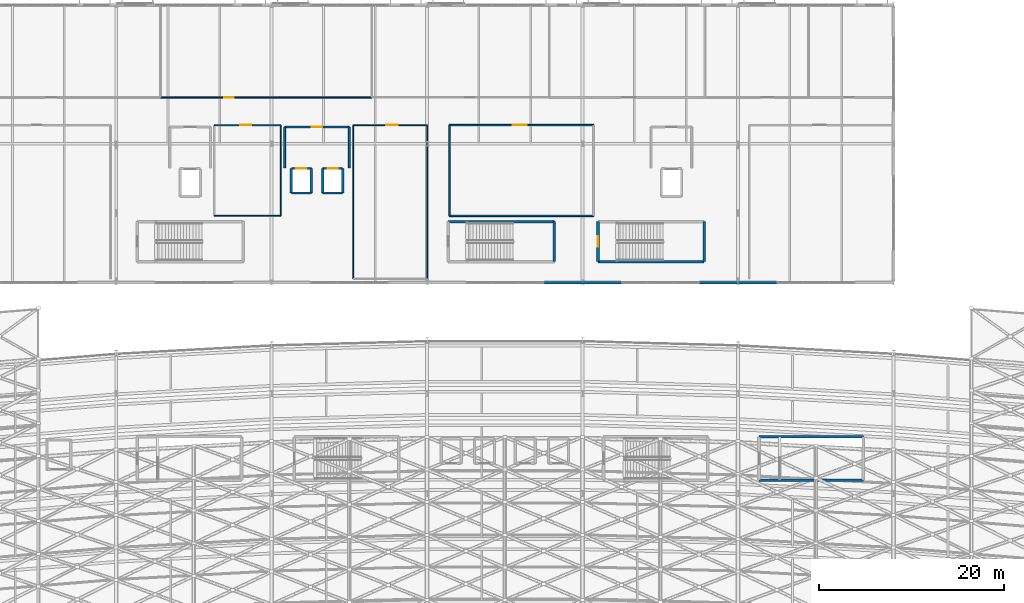
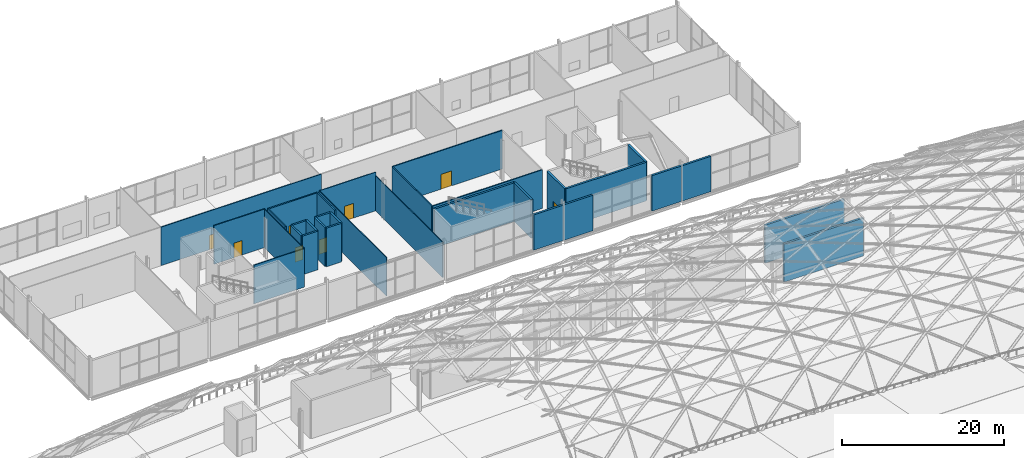
# One storey, part 84 of 100: 32 walls, 8 doors, 8 openings.
"""IFC4 building model written with IfcOpenShell, lengths in metres."""

from ifc_helpers import new_model, si_unit, direction, frame, frame_2d, origin, place, context, subcontext, project, spatial, rectangle, extrude, material, layer, layer_set, type_object, element, fill, save


model = new_model("IFC4")

# Units and contexts
model_context = context("Model", 3, precision=1e-05, world=origin(), true_north=direction((0.0, 1.0)))
body_context = subcontext(model_context, "Body", "Model", "MODEL_VIEW")
ifc_project = project(units=[si_unit("LENGTHUNIT", "METRE"), si_unit("AREAUNIT", "SQUARE_METRE"), si_unit("VOLUMEUNIT", "CUBIC_METRE"), si_unit("PLANEANGLEUNIT", "RADIAN"), si_unit("MASSUNIT", "GRAM", prefix="KILO")], contexts=[model_context])

# Site, building, storey
site_placement = place(None, origin())
site = spatial("IfcSite", under=ifc_project, at=site_placement, CompositionType="ELEMENT")
building_placement = place(site_placement, origin())
building = spatial("IfcBuilding", under=site, at=building_placement, Name="Kimbaza Rail Terminus", CompositionType="ELEMENT")
storey_placement = place(building_placement, frame((0.0, 0.0, 10.800048828125)))
storey = spatial("IfcBuildingStorey", under=building, at=storey_placement, Name="L02", CompositionType="ELEMENT", Elevation=10.800048828125)

# Walls
ifc_material_1 = material(Name="Precast concrete C40/50", Category="concrete")
ifc_layer_1 = layer(ifc_material_1, 0.280029296875)
ifc_layer_set_1 = layer_set([ifc_layer_1], Name="Precast concrete C40/50")
wall_type_1 = type_object("IfcWallType", Name="ARC-WL-EXT280", PredefinedType="STANDARD", material=ifc_layer_set_1)
wall_1_placement = place(storey_placement, frame((118.199951171875, 103.0, 0.0), z_axis=(0.0, 0.0, 1.0), x_axis=(1.0, 0.0, 0.0)))
element("IfcWall", 1, at=wall_1_placement, inside=storey, type_object=wall_type_1, Name="Operations South Wall L02 3B", PredefinedType="STANDARD", context=body_context, shape_type="SweptSolid", body=[
    extrude(rectangle(XDim=4.199951171875, YDim=0.280029296875, at=frame_2d((2.10009765625, 0.0))), origin(), (0.0, 0.0, 1.0), 5.324951171875),
])
wall_2_placement = place(storey_placement, frame((122.39990234375, 103.0, 0.0), z_axis=(0.0, 0.0, 1.0), x_axis=(1.0, 0.0, 0.0)))
element("IfcWall", 2, at=wall_2_placement, inside=storey, type_object=wall_type_1, Name="Operations South Wall L02 4A", PredefinedType="STANDARD", context=body_context, shape_type="SweptSolid", body=[
    extrude(rectangle(XDim=4.2001953125, YDim=0.280029296875, at=frame_2d((2.10009765625, 0.0))), origin(), (0.0, 0.0, 1.0), 5.324951171875),
])
for number, where, z_axis, x_axis, name in (
    (3, (135.0, 103.0, 0.0), (0.0, 0.0, 1.0), (1.0, 0.0, 0.0), "Operations South Wall L02 4B"),
    (4, (139.199951171875, 103.0, 0.0), (0.0, 0.0, 1.0), (1.0, 0.0, 0.0), "Operations South Wall L02 5A"),
):
    element("IfcWall", number, at=place(storey_placement, frame(where, z_axis=z_axis, x_axis=x_axis)), inside=storey, type_object=wall_type_1, Name=name, PredefinedType="STANDARD", context=body_context, shape_type="SweptSolid", body=[
        extrude(rectangle(XDim=4.199951171875, YDim=0.280029296875, at=frame_2d((2.10009765625, 0.0))), origin(), (0.0, 0.0, 1.0), 5.324951171875),
    ])
ifc_material_2 = material(Name="Concrete blockwork C30/37", Category="masonry")
ifc_layer_2 = layer(ifc_material_2, 0.199951171875)
ifc_layer_set_2 = layer_set([ifc_layer_2], Name="Concrete blockwork C30/37")
wall_type_2 = type_object("IfcWallType", Name="ARC-WL-FIRE200", PredefinedType="PARTITIONING", material=ifc_layer_set_2)
wall_3_placement = place(storey_placement, frame((97.199951171875, 115.39990234375, 0.0), z_axis=(0.0, 0.0, 1.0), x_axis=(0.0, 1.0, 0.0)))
element("IfcWall", 5, at=wall_3_placement, inside=storey, type_object=wall_type_2, Name="Operations Lift Lobby L02 Partition (east)", PredefinedType="PARTITIONING", context=body_context, shape_type="SweptSolid", body=[
    extrude(rectangle(XDim=4.400146484375, YDim=0.199951171875, at=frame_2d((2.2001953125, 0.0))), origin(), (0.0, 0.0, 1.0), 5.800048828125),
])

# Wall, opening, door
wall_4_placement = place(storey_placement, frame((97.199951171875, 119.800048828125, 0.0), z_axis=(0.0, 0.0, 1.0), x_axis=(-1.0, 0.0, 0.0)))
wall_4 = element("IfcWall", 6, at=wall_4_placement, inside=storey, type_object=wall_type_2, Name="Operations Lift Lobby L02 Partition (north)", PredefinedType="PARTITIONING", context=body_context, shape_type="SweptSolid", body=[
    extrude(rectangle(XDim=7.0, YDim=0.199951171875, at=frame_2d((3.5, 0.0))), origin(), (0.0, 0.0, 1.0), 5.800048828125),
])
opening_1_placement = place(wall_4_placement, frame((4.074951171875, 0.0, 0.0), z_axis=(0.0, 0.0, 1.0), x_axis=(-1.0, 0.0, 0.0)))
opening_1 = element("IfcOpeningElement", 7, at=opening_1_placement, cuts=wall_4, Name="Opening FD-03", PredefinedType="OPENING", context=body_context, shape_type="SweptSolid", body=[
    extrude(rectangle(XDim=1.14990234375, YDim=2.199951171875, at=frame_2d((0.574951171875, 1.10009765625))), frame((0.0, 0.10986328125, 0.0), z_axis=(0.0, -1.0, 0.0), x_axis=(1.0, 0.0, 0.0)), (0.0, 0.0, 1.0), 0.219970703125),
])
ifc_material_3 = material(Name="Firefighting lobby self-closing steel door", Category="steel")
door_type_1 = type_object("IfcDoorType", Name="ARC-DR-FD115", OperationType="NOTDEFINED", PredefinedType="DOOR", material=ifc_material_3)
door_1_placement = place(opening_1_placement, origin())
door_1 = element("IfcDoor", 8, at=door_1_placement, inside=storey, type_object=door_type_1, Name="IDR-SPC-LLOB-V5-L02", OperationType="SINGLE_SWING_RIGHT", OverallHeight=2.199951171875, OverallWidth=1.14990234375, PredefinedType="DOOR", context=body_context, shape_type="SweptSolid", body=[
    extrude(rectangle(XDim=1.14990234375, YDim=2.199951171875, at=frame_2d((0.574951171875, 1.10009765625))), frame((0.0, 0.02490234375, 0.0), z_axis=(0.0, -1.0, 0.0), x_axis=(1.0, 0.0, 0.0)), (0.0, 0.0, 1.0), 0.050048828125),
])
fill(opening_1, door_1)

# Walls
wall_5_placement = place(storey_placement, frame((90.199951171875, 119.800048828125, 0.0), z_axis=(0.0, 0.0, 1.0), x_axis=(0.0, -1.0, 0.0)))
element("IfcWall", 9, at=wall_5_placement, inside=storey, type_object=wall_type_2, Name="Operations Lift Lobby L02 Partition (west)", PredefinedType="PARTITIONING", context=body_context, shape_type="SweptSolid", body=[
    extrude(rectangle(XDim=4.400146484375, YDim=0.199951171875, at=frame_2d((2.2001953125, 0.0))), origin(), (0.0, 0.0, 1.0), 5.800048828125),
])
ifc_material_4 = material(Name="Demountable acoustic glass wall", Category="glass")
ifc_layer_3 = layer(ifc_material_4, 0.110107421875)
ifc_layer_set_3 = layer_set([ifc_layer_3], Name="Demountable acoustic glass wall")
wall_type_3 = type_object("IfcWallType", Name="ARC-WL-MOV110", PredefinedType="MOVABLE", material=ifc_layer_set_3)
wall_6_placement = place(storey_placement, frame((105.60009765625, 103.39990234375, 0.0), z_axis=(0.0, 0.0, 1.0), x_axis=(0.0, 1.0, 0.0)))
element("IfcWall", 10, at=wall_6_placement, inside=storey, type_object=wall_type_3, Name="L02 Network Dispatch Briefing Room Partition (east)", PredefinedType="MOVABLE", context=body_context, shape_type="SweptSolid", body=[
    extrude(rectangle(XDim=16.60009765625, YDim=0.110107421875, at=frame_2d((8.300048828125, 0.0))), origin(), (0.0, 0.0, 1.0), 5.294921875),
])

# Wall, opening, door
wall_7_placement = place(storey_placement, frame((105.60009765625, 120.0, 0.0), z_axis=(0.0, 0.0, 1.0), x_axis=(-1.0, 0.0, 0.0)))
wall_7 = element("IfcWall", 11, at=wall_7_placement, inside=storey, type_object=wall_type_3, Name="L02 Network Dispatch Briefing Room Partition (north)", PredefinedType="MOVABLE", context=body_context, shape_type="SweptSolid", body=[
    extrude(rectangle(XDim=8.0, YDim=0.110107421875, at=frame_2d((4.0, 0.0))), origin(), (0.0, 0.0, 1.0), 5.800048828125),
])
opening_2_placement = place(wall_7_placement, frame((3.159912109375, 0.0, 0.0)))
opening_2 = element("IfcOpeningElement", 12, at=opening_2_placement, cuts=wall_7, Name="Opening ID-12", PredefinedType="OPENING", context=body_context, shape_type="SweptSolid", body=[
    extrude(rectangle(XDim=1.280029296875, YDim=2.219970703125, at=frame_2d((0.64013671875, 1.10986328125))), frame((0.0, 0.06494140625, 0.0), z_axis=(0.0, -1.0, 0.0), x_axis=(1.0, 0.0, 0.0)), (0.0, 0.0, 1.0), 0.130126953125),
])
ifc_material_5 = material(Name="Engineering studio double-seal door", Category="wood")
door_type_2 = type_object("IfcDoorType", Name="ARC-DR-ID128", OperationType="NOTDEFINED", PredefinedType="DOOR", material=ifc_material_5)
door_2_placement = place(opening_2_placement, origin())
door_2 = element("IfcDoor", 13, at=door_2_placement, inside=storey, type_object=door_type_2, Name="IDR-SPC-V5S-L02-3", OperationType="SINGLE_SWING_LEFT", OverallHeight=2.219970703125, OverallWidth=1.280029296875, PredefinedType="DOOR", context=body_context, shape_type="SweptSolid", body=[
    extrude(rectangle(XDim=1.280029296875, YDim=2.219970703125, at=frame_2d((0.64013671875, 1.10986328125))), frame((0.0, 0.02490234375, 0.0), z_axis=(0.0, -1.0, 0.0), x_axis=(1.0, 0.0, 0.0)), (0.0, 0.0, 1.0), 0.050048828125),
])
fill(opening_2, door_2)

# Wall
wall_8_placement = place(storey_placement, frame((97.60009765625, 120.0, 0.0), z_axis=(0.0, 0.0, 1.0), x_axis=(0.0, -1.0, 0.0)))
element("IfcWall", 14, at=wall_8_placement, inside=storey, type_object=wall_type_3, Name="L02 Network Dispatch Briefing Room Partition (west)", PredefinedType="MOVABLE", context=body_context, shape_type="SweptSolid", body=[
    extrude(rectangle(XDim=16.60009765625, YDim=0.110107421875, at=frame_2d((8.300048828125, 0.0))), origin(), (0.0, 0.0, 1.0), 5.800048828125),
])

# Wall, opening, door
ifc_material_6 = material(Name="Moisture-resistant stud wall", Category="gypsum")
ifc_layer_4 = layer(ifc_material_6, 0.1201171875)
ifc_layer_set_4 = layer_set([ifc_layer_4], Name="Moisture-resistant stud wall")
wall_type_4 = type_object("IfcWallType", Name="ARC-WL-PART120", PredefinedType="PARTITIONING", material=ifc_layer_set_4)
wall_9_placement = place(storey_placement, frame((76.800048828125, 123.0, 0.0), z_axis=(0.0, 0.0, 1.0), x_axis=(1.0, 0.0, 0.0)))
wall_9 = element("IfcWall", 15, at=wall_9_placement, inside=storey, type_object=wall_type_4, Name="Interlocking Signalling Relay Suite B Partition (south)", PredefinedType="PARTITIONING", context=body_context, shape_type="SweptSolid", body=[
    extrude(rectangle(XDim=22.800048828125, YDim=0.1201171875, at=frame_2d((11.39990234375, 0.0))), origin(), (0.0, 0.0, 1.0), 5.800048828125),
])
opening_3_placement = place(wall_9_placement, frame((6.89990234375, 0.0, 0.0)))
opening_3 = element("IfcOpeningElement", 16, at=opening_3_placement, cuts=wall_9, Name="Opening ID-05", PredefinedType="OPENING", context=body_context, shape_type="SweptSolid", body=[
    extrude(rectangle(XDim=1.0, YDim=2.14990234375, at=frame_2d((0.5, 1.074951171875))), frame((0.0, 0.070068359375, 0.0), z_axis=(0.0, -1.0, 0.0), x_axis=(1.0, 0.0, 0.0)), (0.0, 0.0, 1.0), 0.14013671875),
])
ifc_material_7 = material(Name="Hardwood veneer staff room door", Category="wood")
door_type_3 = type_object("IfcDoorType", Name="ARC-DR-ID100", OperationType="NOTDEFINED", PredefinedType="DOOR", material=ifc_material_7)
door_3_placement = place(opening_3_placement, origin())
door_3 = element("IfcDoor", 17, at=door_3_placement, inside=storey, type_object=door_type_3, Name="IDR-SPC-V5N-L02-02", OperationType="SINGLE_SWING_RIGHT", OverallHeight=2.14990234375, OverallWidth=1.0, PredefinedType="DOOR", context=body_context, shape_type="SweptSolid", body=[
    extrude(rectangle(XDim=1.0, YDim=2.14990234375, at=frame_2d((0.5, 1.074951171875))), frame((0.0, 0.02490234375, 0.0), z_axis=(0.0, -1.0, 0.0), x_axis=(1.0, 0.0, 0.0)), (0.0, 0.0, 1.0), 0.050048828125),
])
fill(opening_3, door_3)

# Walls
wall_10_placement = place(storey_placement, frame((82.60009765625, 110.199951171875, 0.0), z_axis=(0.0, 0.0, 1.0), x_axis=(1.0, 0.0, 0.0)))
element("IfcWall", 18, at=wall_10_placement, inside=storey, type_object=wall_type_4, Name="L02 Traction Metering Workshop Partition (south)", PredefinedType="PARTITIONING", context=body_context, shape_type="SweptSolid", body=[
    extrude(rectangle(XDim=7.199951171875, YDim=0.1201171875, at=frame_2d((3.60009765625, 0.0))), origin(), (0.0, 0.0, 1.0), 5.800048828125),
])
wall_11_placement = place(storey_placement, frame((89.800048828125, 110.199951171875, 0.0), z_axis=(0.0, 0.0, 1.0), x_axis=(0.0, 1.0, 0.0)))
element("IfcWall", 19, at=wall_11_placement, inside=storey, type_object=wall_type_4, Name="L02 Traction Metering Workshop Partition (east)", PredefinedType="PARTITIONING", context=body_context, shape_type="SweptSolid", body=[
    extrude(rectangle(XDim=9.800048828125, YDim=0.1201171875, at=frame_2d((4.89990234375, 0.0))), origin(), (0.0, 0.0, 1.0), 5.800048828125),
])

# Wall, opening, door
wall_12_placement = place(storey_placement, frame((89.800048828125, 120.0, 0.0), z_axis=(0.0, 0.0, 1.0), x_axis=(-1.0, 0.0, 0.0)))
wall_12 = element("IfcWall", 20, at=wall_12_placement, inside=storey, type_object=wall_type_4, Name="L02 Traction Metering Workshop Partition (north)", PredefinedType="PARTITIONING", context=body_context, shape_type="SweptSolid", body=[
    extrude(rectangle(XDim=7.199951171875, YDim=0.1201171875, at=frame_2d((3.60009765625, 0.0))), origin(), (0.0, 0.0, 1.0), 5.800048828125),
])
opening_4_placement = place(wall_12_placement, frame((3.2099609375, 0.0, 0.0)))
opening_4 = element("IfcOpeningElement", 21, at=opening_4_placement, cuts=wall_12, Name="Opening ID-11", PredefinedType="OPENING", context=body_context, shape_type="SweptSolid", body=[
    extrude(rectangle(XDim=1.179931640625, YDim=2.179931640625, at=frame_2d((0.58984375, 1.08984375))), frame((0.0, 0.070068359375, 0.0), z_axis=(0.0, -1.0, 0.0), x_axis=(1.0, 0.0, 0.0)), (0.0, 0.0, 1.0), 0.14013671875),
])
ifc_material_8 = material(Name="Broadcast studio acoustic door", Category="wood")
door_type_4 = type_object("IfcDoorType", Name="ARC-DR-ID118", OperationType="NOTDEFINED", PredefinedType="DOOR", material=ifc_material_8)
door_4_placement = place(opening_4_placement, origin())
door_4 = element("IfcDoor", 22, at=door_4_placement, inside=storey, type_object=door_type_4, Name="IDR-SPC-V5S-L02-2", OperationType="SINGLE_SWING_RIGHT", OverallHeight=2.179931640625, OverallWidth=1.179931640625, PredefinedType="DOOR", context=body_context, shape_type="SweptSolid", body=[
    extrude(rectangle(XDim=1.179931640625, YDim=2.179931640625, at=frame_2d((0.58984375, 1.08984375))), frame((0.0, 0.02490234375, 0.0), z_axis=(0.0, -1.0, 0.0), x_axis=(1.0, 0.0, 0.0)), (0.0, 0.0, 1.0), 0.050048828125),
])
fill(opening_4, door_4)

# Wall
ifc_material_9 = material(Name="Acoustic gypsum stud partition", Category="gypsum")
ifc_layer_5 = layer(ifc_material_9, 0.159912109375)
ifc_layer_set_5 = layer_set([ifc_layer_5], Name="Acoustic gypsum stud partition")
wall_type_5 = type_object("IfcWallType", Name="ARC-WL-PART160", PredefinedType="PARTITIONING", material=ifc_layer_set_5)
wall_13_placement = place(storey_placement, frame((108.0, 110.199951171875, 0.0), z_axis=(0.0, 0.0, 1.0), x_axis=(1.0, 0.0, 0.0)))
element("IfcWall", 23, at=wall_13_placement, inside=storey, type_object=wall_type_5, Name="L02 Rolling Stock Rostering Studio Partition (south)", PredefinedType="PARTITIONING", context=body_context, shape_type="SweptSolid", body=[
    extrude(rectangle(XDim=15.60009765625, YDim=0.159912109375, at=frame_2d((7.800048828125, 0.0))), origin(), (0.0, 0.0, 1.0), 5.800048828125),
])

# Wall, opening, door
wall_14_placement = place(storey_placement, frame((123.60009765625, 120.0, 0.0), z_axis=(0.0, 0.0, 1.0), x_axis=(-1.0, 0.0, 0.0)))
wall_14 = element("IfcWall", 24, at=wall_14_placement, inside=storey, type_object=wall_type_5, Name="L02 Rolling Stock Rostering Studio Partition (north)", PredefinedType="PARTITIONING", context=body_context, shape_type="SweptSolid", body=[
    extrude(rectangle(XDim=15.60009765625, YDim=0.159912109375, at=frame_2d((7.800048828125, 0.0))), origin(), (0.0, 0.0, 1.0), 5.800048828125),
])
opening_5_placement = place(wall_14_placement, frame((8.75, 0.0, 0.0), z_axis=(0.0, 0.0, 1.0), x_axis=(-1.0, 0.0, 0.0)))
opening_5 = element("IfcOpeningElement", 25, at=opening_5_placement, cuts=wall_14, Name="Opening ID-01", PredefinedType="OPENING", context=body_context, shape_type="SweptSolid", body=[
    extrude(rectangle(XDim=1.5, YDim=2.25, at=frame_2d((0.75, 1.125))), frame((0.0, 0.08984375, 0.0), z_axis=(0.0, -1.0, 0.0), x_axis=(1.0, 0.0, 0.0)), (0.0, 0.0, 1.0), 0.179931640625),
])
ifc_material_10 = material(Name="Anodised aluminium glazed concourse door", Category="aluminium")
door_type_5 = type_object("IfcDoorType", Name="ARC-DR-ID150", OperationType="NOTDEFINED", PredefinedType="DOOR", material=ifc_material_10)
door_5_placement = place(opening_5_placement, origin())
door_5 = element("IfcDoor", 26, at=door_5_placement, inside=storey, type_object=door_type_5, Name="IDR-SPC-V5S-L02-4", OperationType="SINGLE_SWING_RIGHT", OverallHeight=2.25, OverallWidth=1.5, PredefinedType="DOOR", context=body_context, shape_type="SweptSolid", body=[
    extrude(rectangle(XDim=1.5, YDim=2.25, at=frame_2d((0.75, 1.125))), frame((0.0, 0.02490234375, 0.0), z_axis=(0.0, -1.0, 0.0), x_axis=(1.0, 0.0, 0.0)), (0.0, 0.0, 1.0), 0.050048828125),
])
fill(opening_5, door_5)

# Walls
wall_15_placement = place(storey_placement, frame((108.0, 120.0, 0.0), z_axis=(0.0, 0.0, 1.0), x_axis=(0.0, -1.0, 0.0)))
element("IfcWall", 27, at=wall_15_placement, inside=storey, type_object=wall_type_5, Name="L02 Rolling Stock Rostering Studio Partition (west)", PredefinedType="PARTITIONING", context=body_context, shape_type="SweptSolid", body=[
    extrude(rectangle(XDim=9.800048828125, YDim=0.159912109375, at=frame_2d((4.89990234375, 0.0))), origin(), (0.0, 0.0, 1.0), 5.800048828125),
])
ifc_material_11 = material(Name="Concrete C40/50", Category="concrete")
ifc_layer_6 = layer(ifc_material_11, 0.25)
ifc_layer_set_6 = layer_set([ifc_layer_6], Name="Concrete C40/50")
wall_type_6 = type_object("IfcWallType", Name="STR-WL-CORE250", PredefinedType="SHEAR", material=ifc_layer_set_6)
wall_16_placement = place(storey_placement, frame((90.919921875, 112.669921875, 0.0), z_axis=(0.0, 0.0, 1.0), x_axis=(1.0, 0.0, 0.0)))
element("IfcWall", 28, at=wall_16_placement, inside=storey, type_object=wall_type_6, Name="Lift Shaft Wall LP-08 L02-1", PredefinedType="SHEAR", context=body_context, shape_type="SweptSolid", body=[
    extrude(rectangle(XDim=2.16015625, YDim=0.25, at=frame_2d((1.080078125, 0.0))), origin(), (0.0, 0.0, 1.0), 5.800048828125),
])
wall_17_placement = place(storey_placement, frame((93.080078125, 112.669921875, 0.0), z_axis=(0.0, 0.0, 1.0), x_axis=(0.0, 1.0, 0.0)))
element("IfcWall", 29, at=wall_17_placement, inside=storey, type_object=wall_type_6, Name="Lift Shaft Wall LP-08 L02-2", PredefinedType="SHEAR", context=body_context, shape_type="SweptSolid", body=[
    extrude(rectangle(XDim=2.66015625, YDim=0.25, at=frame_2d((1.330078125, 0.0))), origin(), (0.0, 0.0, 1.0), 5.800048828125),
])

# Wall, opening, door
wall_18_placement = place(storey_placement, frame((93.080078125, 115.330078125, 0.0), z_axis=(0.0, 0.0, 1.0), x_axis=(-1.0, 0.0, 0.0)))
wall_18 = element("IfcWall", 30, at=wall_18_placement, inside=storey, type_object=wall_type_6, Name="Lift Shaft Wall LP-08 L02-3", PredefinedType="SHEAR", context=body_context, shape_type="SweptSolid", body=[
    extrude(rectangle(XDim=2.16015625, YDim=0.25, at=frame_2d((1.080078125, 0.0))), origin(), (0.0, 0.0, 1.0), 5.800048828125),
])
opening_6_placement = place(wall_18_placement, frame((0.530029296875, 0.0, 0.0)))
opening_6 = element("IfcOpeningElement", 31, at=opening_6_placement, cuts=wall_18, Name="Opening LD-01", PredefinedType="OPENING", context=body_context, shape_type="SweptSolid", body=[
    extrude(rectangle(XDim=1.10009765625, YDim=2.199951171875, at=frame_2d((0.550048828125, 1.10009765625))), frame((0.0, 0.135009765625, 0.0), z_axis=(0.0, -1.0, 0.0), x_axis=(1.0, 0.0, 0.0)), (0.0, 0.0, 1.0), 0.27001953125),
])
ifc_material_12 = material(Name="Brushed stainless steel sliding landing door", Category="steel")
door_type_6 = type_object("IfcDoorType", Name="ARC-DR-LD110", OperationType="NOTDEFINED", PredefinedType="DOOR", material=ifc_material_12)
door_6_placement = place(opening_6_placement, origin())
door_6 = element("IfcDoor", 32, at=door_6_placement, inside=storey, type_object=door_type_6, Name="LDR-LP-08-L02", OperationType="SLIDING_TO_RIGHT", OverallHeight=2.199951171875, OverallWidth=1.10009765625, PredefinedType="DOOR", context=body_context, shape_type="SweptSolid", body=[
    extrude(rectangle(XDim=1.10009765625, YDim=2.199951171875, at=frame_2d((0.550048828125, 1.10009765625))), frame((0.0, 0.02490234375, 0.0), z_axis=(0.0, -1.0, 0.0), x_axis=(1.0, 0.0, 0.0)), (0.0, 0.0, 1.0), 0.050048828125),
])
fill(opening_6, door_6)

# Walls
wall_19_placement = place(storey_placement, frame((90.919921875, 115.330078125, 0.0), z_axis=(0.0, 0.0, 1.0), x_axis=(0.0, -1.0, 0.0)))
element("IfcWall", 33, at=wall_19_placement, inside=storey, type_object=wall_type_6, Name="Lift Shaft Wall LP-08 L02-4", PredefinedType="SHEAR", context=body_context, shape_type="SweptSolid", body=[
    extrude(rectangle(XDim=2.66015625, YDim=0.25, at=frame_2d((1.330078125, 0.0))), origin(), (0.0, 0.0, 1.0), 5.800048828125),
])
wall_20_placement = place(storey_placement, frame((94.320068359375, 112.669921875, 0.0), z_axis=(0.0, 0.0, 1.0), x_axis=(1.0, 0.0, 0.0)))
element("IfcWall", 34, at=wall_20_placement, inside=storey, type_object=wall_type_6, Name="Lift Shaft Wall LP-09 L02-1", PredefinedType="SHEAR", context=body_context, shape_type="SweptSolid", body=[
    extrude(rectangle(XDim=2.159912109375, YDim=0.25, at=frame_2d((1.080078125, 0.0))), origin(), (0.0, 0.0, 1.0), 5.800048828125),
])
wall_21_placement = place(storey_placement, frame((96.47998046875, 112.669921875, 0.0), z_axis=(0.0, 0.0, 1.0), x_axis=(0.0, 1.0, 0.0)))
element("IfcWall", 35, at=wall_21_placement, inside=storey, type_object=wall_type_6, Name="Lift Shaft Wall LP-09 L02-2", PredefinedType="SHEAR", context=body_context, shape_type="SweptSolid", body=[
    extrude(rectangle(XDim=2.66015625, YDim=0.25, at=frame_2d((1.330078125, 0.0))), origin(), (0.0, 0.0, 1.0), 5.800048828125),
])

# Wall, opening, door
wall_22_placement = place(storey_placement, frame((96.47998046875, 115.330078125, 0.0), z_axis=(0.0, 0.0, 1.0), x_axis=(-1.0, 0.0, 0.0)))
wall_22 = element("IfcWall", 36, at=wall_22_placement, inside=storey, type_object=wall_type_6, Name="Lift Shaft Wall LP-09 L02-3", PredefinedType="SHEAR", context=body_context, shape_type="SweptSolid", body=[
    extrude(rectangle(XDim=2.159912109375, YDim=0.25, at=frame_2d((1.080078125, 0.0))), origin(), (0.0, 0.0, 1.0), 5.800048828125),
])
opening_7_placement = place(wall_22_placement, frame((0.530029296875, 0.0, 0.0)))
opening_7 = element("IfcOpeningElement", 37, at=opening_7_placement, cuts=wall_22, Name="Opening LD-01", PredefinedType="OPENING", context=body_context, shape_type="SweptSolid", body=[
    extrude(rectangle(XDim=1.10009765625, YDim=2.199951171875, at=frame_2d((0.550048828125, 1.10009765625))), frame((0.0, 0.135009765625, 0.0), z_axis=(0.0, -1.0, 0.0), x_axis=(1.0, 0.0, 0.0)), (0.0, 0.0, 1.0), 0.27001953125),
])
door_7_placement = place(opening_7_placement, origin())
door_7 = element("IfcDoor", 38, at=door_7_placement, inside=storey, type_object=door_type_6, Name="LDR-LP-09-L02", OperationType="SLIDING_TO_RIGHT", OverallHeight=2.199951171875, OverallWidth=1.10009765625, PredefinedType="DOOR", context=body_context, shape_type="SweptSolid", body=[
    extrude(rectangle(XDim=1.10009765625, YDim=2.199951171875, at=frame_2d((0.550048828125, 1.10009765625))), frame((0.0, 0.02490234375, 0.0), z_axis=(0.0, -1.0, 0.0), x_axis=(1.0, 0.0, 0.0)), (0.0, 0.0, 1.0), 0.050048828125),
])
fill(opening_7, door_7)

# Walls
wall_23_placement = place(storey_placement, frame((94.320068359375, 115.330078125, 0.0), z_axis=(0.0, 0.0, 1.0), x_axis=(0.0, -1.0, 0.0)))
element("IfcWall", 39, at=wall_23_placement, inside=storey, type_object=wall_type_6, Name="Lift Shaft Wall LP-09 L02-4", PredefinedType="SHEAR", context=body_context, shape_type="SweptSolid", body=[
    extrude(rectangle(XDim=2.66015625, YDim=0.25, at=frame_2d((1.330078125, 0.0))), origin(), (0.0, 0.0, 1.0), 5.800048828125),
])
ifc_material_13 = material(Name="Concrete C40/50", Category="concrete")
ifc_layer_7 = layer(ifc_material_13, 0.280029296875)
ifc_layer_set_7 = layer_set([ifc_layer_7], Name="Concrete C40/50")
wall_type_7 = type_object("IfcWallType", Name="STR-WL-CORE280", PredefinedType="SHEAR", material=ifc_layer_set_7)
wall_24_placement = place(storey_placement, frame((119.340087890625, 105.260009765625, 0.0), z_axis=(0.0, 0.0, 1.0), x_axis=(0.0, 1.0, 0.0)))
element("IfcWall", 40, at=wall_24_placement, inside=storey, type_object=wall_type_7, Name="Operations Central Exit Stair Shaft Wall L02-2", PredefinedType="SHEAR", context=body_context, shape_type="SweptSolid", body=[
    extrude(rectangle(XDim=4.320068359375, YDim=0.280029296875, at=frame_2d((2.16015625, 0.0))), origin(), (0.0, 0.0, 1.0), 5.800048828125),
])
for number, where, z_axis, x_axis, name in (
    (41, (119.340087890625, 109.580078125, 0.0), (0.0, 0.0, 1.0), (-1.0, 0.0, 0.0), "Operations Central Exit Stair Shaft Wall L02-3"),
    (42, (124.06005859375, 105.260009765625, 0.0), (0.0, 0.0, 1.0), (1.0, 0.0, 0.0), "Operations East Exit Stair Shaft Wall L02-1"),
):
    element("IfcWall", number, at=place(storey_placement, frame(where, z_axis=z_axis, x_axis=x_axis)), inside=storey, type_object=wall_type_7, Name=name, PredefinedType="SHEAR", context=body_context, shape_type="SweptSolid", body=[
        extrude(rectangle(XDim=11.47998046875, YDim=0.280029296875, at=frame_2d((5.739990234375, 0.0))), origin(), (0.0, 0.0, 1.0), 5.800048828125),
    ])
wall_25_placement = place(storey_placement, frame((135.5400390625, 105.260009765625, 0.0), z_axis=(0.0, 0.0, 1.0), x_axis=(0.0, 1.0, 0.0)))
element("IfcWall", 43, at=wall_25_placement, inside=storey, type_object=wall_type_7, Name="Operations East Exit Stair Shaft Wall L02-2", PredefinedType="SHEAR", context=body_context, shape_type="SweptSolid", body=[
    extrude(rectangle(XDim=4.320068359375, YDim=0.280029296875, at=frame_2d((2.16015625, 0.0))), origin(), (0.0, 0.0, 1.0), 5.800048828125),
])

# Wall, opening, door
wall_26_placement = place(storey_placement, frame((124.06005859375, 109.580078125, 0.0), z_axis=(0.0, 0.0, 1.0), x_axis=(0.0, -1.0, 0.0)))
wall_26 = element("IfcWall", 44, at=wall_26_placement, inside=storey, type_object=wall_type_7, Name="Operations East Exit Stair Shaft Wall L02-4", PredefinedType="SHEAR", context=body_context, shape_type="SweptSolid", body=[
    extrude(rectangle(XDim=4.320068359375, YDim=0.280029296875, at=frame_2d((2.16015625, 0.0))), origin(), (0.0, 0.0, 1.0), 5.800048828125),
])
opening_8_placement = place(wall_26_placement, frame((1.5849609375, 0.0, 0.0)))
opening_8 = element("IfcOpeningElement", 45, at=opening_8_placement, cuts=wall_26, Name="Opening FD-03", PredefinedType="OPENING", context=body_context, shape_type="SweptSolid", body=[
    extrude(rectangle(XDim=1.14990234375, YDim=2.199951171875, at=frame_2d((0.574951171875, 1.10009765625))), frame((0.0, 0.14990234375, 0.0), z_axis=(0.0, -1.0, 0.0), x_axis=(1.0, 0.0, 0.0)), (0.0, 0.0, 1.0), 0.300048828125),
])
door_8_placement = place(opening_8_placement, origin())
door_8 = element("IfcDoor", 46, at=door_8_placement, inside=storey, type_object=door_type_1, Name="SDR-ST-E1-L02", OperationType="SINGLE_SWING_RIGHT", OverallHeight=2.199951171875, OverallWidth=1.14990234375, PredefinedType="DOOR", context=body_context, shape_type="SweptSolid", body=[
    extrude(rectangle(XDim=1.14990234375, YDim=2.199951171875, at=frame_2d((0.574951171875, 1.10009765625))), frame((0.0, 0.02490234375, 0.0), z_axis=(0.0, -1.0, 0.0), x_axis=(1.0, 0.0, 0.0)), (0.0, 0.0, 1.0), 0.050048828125),
])
fill(opening_8, door_8)

# Walls
for number, where, z_axis, x_axis, name in (
    (47, (141.4599609375, 81.659912109375, 0.0), (0.0, 0.0, 1.0), (1.0, 0.0, 0.0), "Platform East Concourse Stair Shaft Wall L02-1"),
    (48, (152.739990234375, 86.340087890625, 0.0), (0.0, 0.0, 1.0), (-1.0, 0.0, 0.0), "Platform East Concourse Stair Shaft Wall L02-3"),
):
    element("IfcWall", number, at=place(storey_placement, frame(where, z_axis=z_axis, x_axis=x_axis)), inside=storey, type_object=wall_type_7, Name=name, PredefinedType="SHEAR", context=body_context, shape_type="SweptSolid", body=[
        extrude(rectangle(XDim=11.280029296875, YDim=0.280029296875, at=frame_2d((5.64013671875, 0.0))), origin(), (0.0, 0.0, 1.0), 5.719970703125),
    ])

save(model, "model.ifc")
